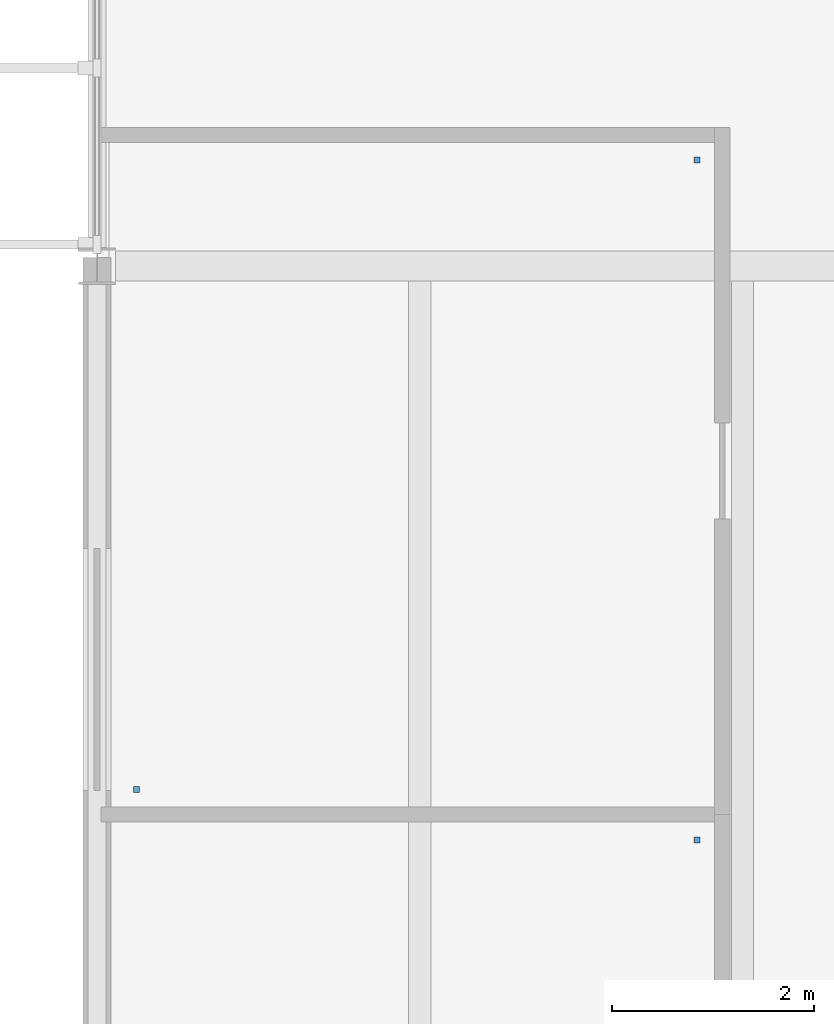
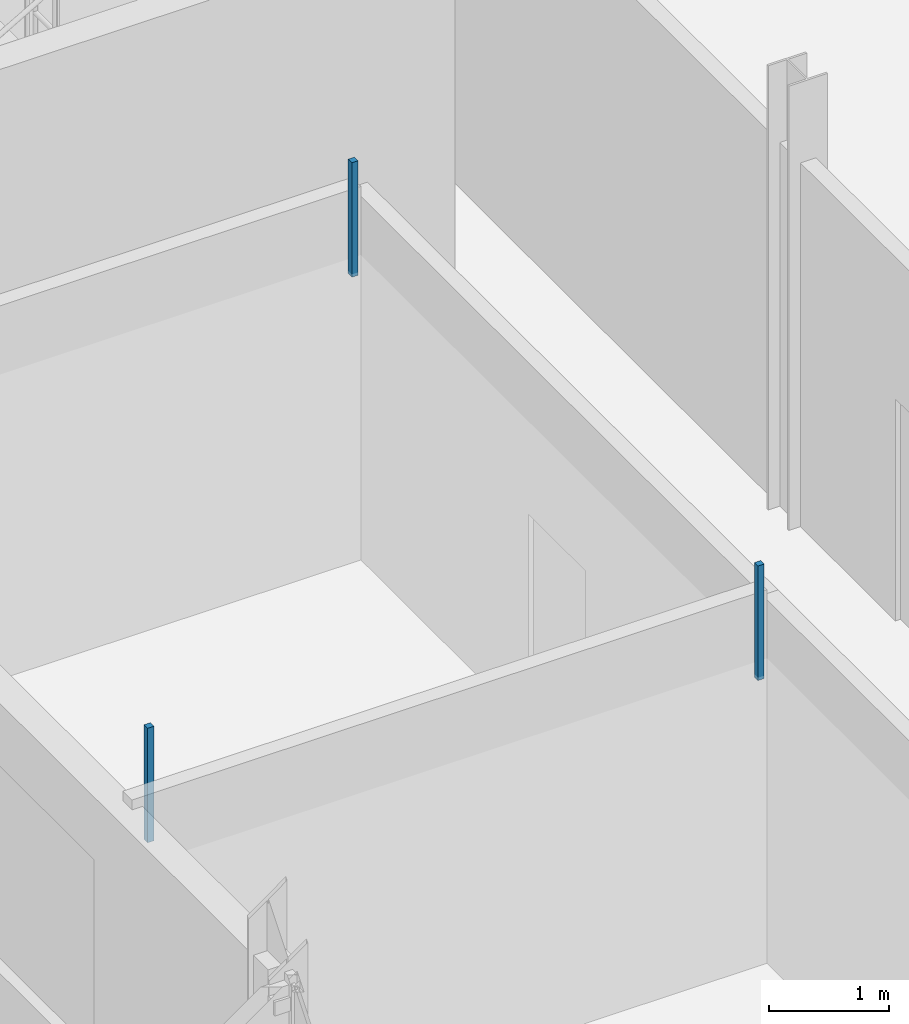
# One storey, part 71 of 110: 3 discrete accessories.
"""IFC4 building model written with IfcOpenShell, lengths in metres."""

from ifc_helpers import new_model, si_unit, direction, frame, origin, place, context, subcontext, project, spatial, polyline, outline, extrude, material, type_object, element, save


model = new_model("IFC4")

# Units and contexts
model_context = context("Model", 3, precision=1e-05, world=origin(), true_north=direction((0.0, 1.0)))
body_context = subcontext(model_context, "Body", "Model", "MODEL_VIEW")
ifc_project = project(units=[si_unit("LENGTHUNIT", "METRE"), si_unit("AREAUNIT", "SQUARE_METRE"), si_unit("VOLUMEUNIT", "CUBIC_METRE"), si_unit("PLANEANGLEUNIT", "RADIAN"), si_unit("MASSUNIT", "GRAM", prefix="KILO")], contexts=[model_context])

# Site, building, storey
site_placement = place(None, origin())
site = spatial("IfcSite", under=ifc_project, at=site_placement, CompositionType="ELEMENT")
building_placement = place(site_placement, origin())
building = spatial("IfcBuilding", under=site, at=building_placement, Name="Dunescarp Central Library", CompositionType="ELEMENT")
storey_placement = place(building_placement, frame((0.0, 0.0, 9.60009765625)))
storey = spatial("IfcBuildingStorey", under=building, at=storey_placement, Name="L02", CompositionType="ELEMENT", Elevation=9.60009765625)

# Discrete accessories
ifc_material = material(Name="Stainless steel Grade 316L", Category="steel")
discrete_accessory_type = type_object("IfcDiscreteAccessoryType", Name="ARC-ACC-BRK", PredefinedType="BRACKET", material=ifc_material)
discrete_accessory_1_placement = place(storey_placement, frame((0.0, 0.0, 3.059814453125)))
element("IfcDiscreteAccessory", 1, at=discrete_accessory_1_placement, inside=storey, type_object=discrete_accessory_type, Name="L02 ceiling hanger CLG-L02-019-H2", PredefinedType="BRACKET", context=body_context, shape_type="SweptSolid", body=[
    extrude(outline(polyline([(5.919921875, 23.080078125), (5.97998046875, 23.080078125), (5.97998046875, 23.139892578125), (5.919921875, 23.139892578125), (5.919921875, 23.080078125)])), origin(), (0.0, 0.0, 1.0), 1.16015625),
])
discrete_accessory_2_placement = place(storey_placement, frame((0.0, 0.0, 3.059814453125)))
element("IfcDiscreteAccessory", 2, at=discrete_accessory_2_placement, inside=storey, type_object=discrete_accessory_type, Name="L02 ceiling hanger CLG-L02-020-H1", PredefinedType="BRACKET", context=body_context, shape_type="SweptSolid", body=[
    extrude(outline(polyline([(0.360107421875, 23.580078125), (0.419921875, 23.580078125), (0.419921875, 23.639892578125), (0.360107421875, 23.639892578125), (0.360107421875, 23.580078125)])), origin(), (0.0, 0.0, 1.0), 1.16015625),
])
discrete_accessory_3_placement = place(storey_placement, frame((0.0, 0.0, 3.059814453125)))
element("IfcDiscreteAccessory", 3, at=discrete_accessory_3_placement, inside=storey, type_object=discrete_accessory_type, Name="L02 ceiling hanger CLG-L02-020-H2", PredefinedType="BRACKET", context=body_context, shape_type="SweptSolid", body=[
    extrude(outline(polyline([(5.919921875, 29.820068359375), (5.97998046875, 29.820068359375), (5.97998046875, 29.8798828125), (5.919921875, 29.8798828125), (5.919921875, 29.820068359375)])), origin(), (0.0, 0.0, 1.0), 1.16015625),
])

save(model, "model.ifc")
